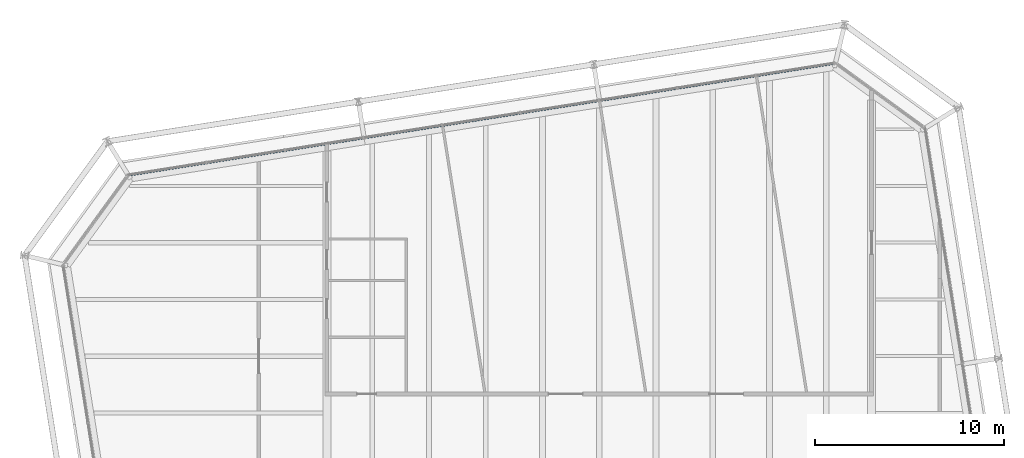
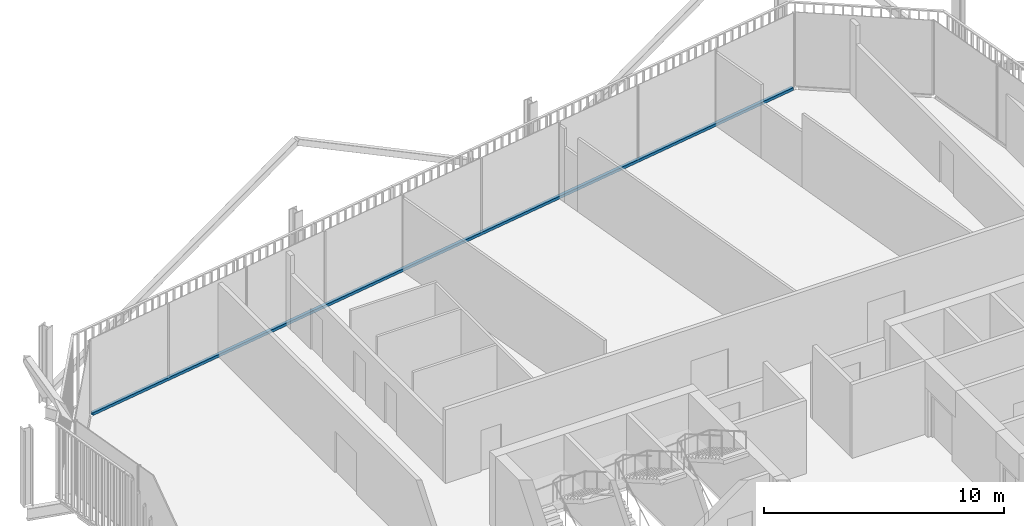
# One storey, part 14 of 21: 1 member, 1 element without a shape of its own.
"""IFC4 building model written with IfcOpenShell, lengths in metres."""

from ifc_helpers import new_model, si_unit, direction, frame, origin, origin_2d, place, context, subcontext, project, spatial, rectangle, extrude, material, layer, layer_set, material_profile, profile_set, type_object, element, aggregate, save


model = new_model("IFC4")

# Units and contexts
model_context = context("Model", 3, precision=1e-05, world=origin(), true_north=direction((0.0, 1.0)))
body_context = subcontext(model_context, "Body", "Model", "MODEL_VIEW")
ifc_project = project(units=[si_unit("LENGTHUNIT", "METRE"), si_unit("AREAUNIT", "SQUARE_METRE"), si_unit("VOLUMEUNIT", "CUBIC_METRE"), si_unit("PLANEANGLEUNIT", "RADIAN"), si_unit("MASSUNIT", "GRAM", prefix="KILO")], contexts=[model_context])

# Site, building, storey
site_placement = place(None, origin())
site = spatial("IfcSite", under=ifc_project, at=site_placement, CompositionType="ELEMENT")
building_placement = place(site_placement, origin())
building = spatial("IfcBuilding", under=site, at=building_placement, Name="Millrace Tower", CompositionType="ELEMENT")
storey_placement = place(building_placement, frame((0.0, 0.0, 220.300048828125)))
storey = spatial("IfcBuildingStorey", under=building, at=storey_placement, Name="L50", CompositionType="ELEMENT", Elevation=220.300048828125)

# Curtain wall, member
ifc_material_1 = material(Name="Aluminium and glass", Category="aluminium")
ifc_layer = layer(ifc_material_1, 0.14990234375)
ifc_layer_set = layer_set([ifc_layer], Name="Aluminium and glass")
curtain_wall_type = type_object("IfcCurtainWallType", Name="CW-1 office vision curtain wall", PredefinedType="NOTDEFINED", material=ifc_layer_set)
curtain_wall_placement = place(storey_placement, origin())
curtain_wall = element("IfcCurtainWall", 1, at=curtain_wall_placement, inside=storey, type_object=curtain_wall_type, Name="Curtain wall D-F06 L50", PredefinedType="NOTDEFINED")
ifc_material_2 = material(Name="Aluminium", Category="aluminium")
ifc_material_profile = material_profile(ifc_material_2, rectangle(XDim=0.14990234375, YDim=0.139892578125, at=origin_2d()))
ifc_profile_set = profile_set([ifc_material_profile], Name="Aluminium")
member_type = type_object("IfcMemberType", Name="CW-1 office vision curtain wall transom", PredefinedType="USERDEFINED", material=ifc_profile_set)
member_placement = place(storey_placement, frame((12.35888671875, 30.48193359375, 0.070068359375), z_axis=(-0.987687829698, -0.156437690685, 0.0), x_axis=(0.156437690685, -0.987687829698, 0.0)))
member = element("IfcMember", 2, at=member_placement, type_object=member_type, Name="CW1 transom D-F06.1", ObjectType="TRANSOM", PredefinedType="USERDEFINED", context=body_context, shape_type="SweptSolid", body=[
    extrude(rectangle(XDim=0.14990234375, YDim=0.139892578125, at=origin_2d()), origin(), (0.0, 0.0, 1.0), 37.60009765625),
])
aggregate(curtain_wall, [member])

save(model, "model.ifc")
